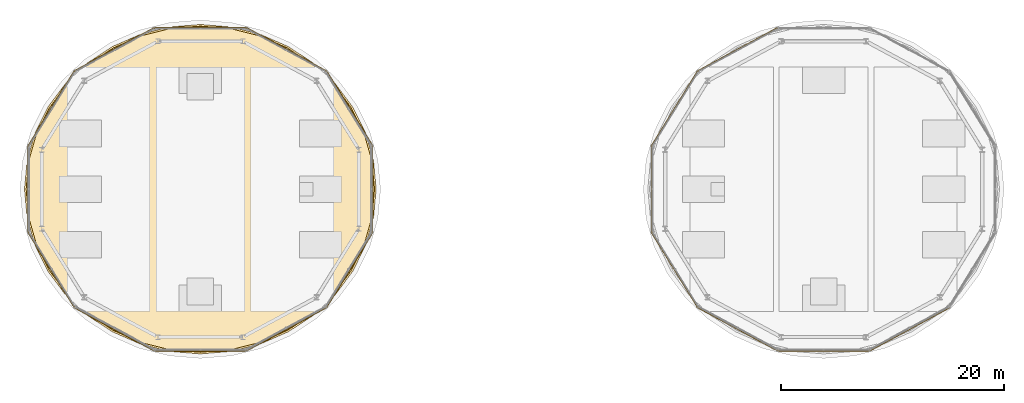
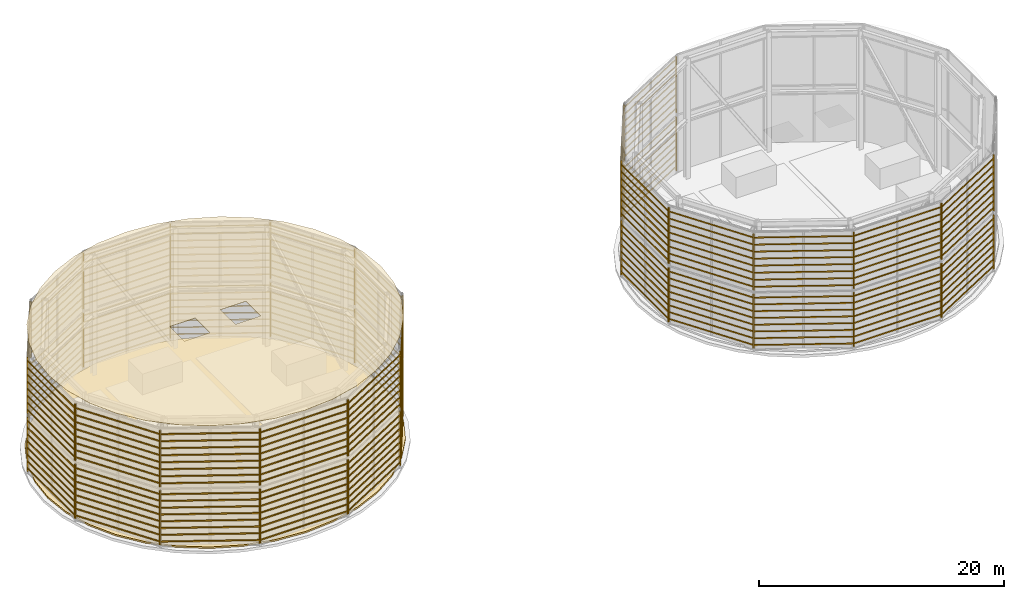
# One storey, part 15 of 17: 38 shading devices, 2 coverings.
"""IFC4 building model written with IfcOpenShell, lengths in metres."""

from ifc_helpers import new_model, si_unit, direction, frame, origin, origin_2d, place, context, subcontext, project, spatial, polyline, rectangle, outline, extrude, source, transform, mapped, material, layer, layer_set, type_object, type_shapes, element, save


model = new_model("IFC4")

# Units and contexts
model_context = context("Model", 3, precision=1e-05, world=origin(), true_north=direction((0.0, 1.0)))
body_context = subcontext(model_context, "Body", "Model", "MODEL_VIEW")
ifc_project = project(units=[si_unit("LENGTHUNIT", "METRE"), si_unit("AREAUNIT", "SQUARE_METRE"), si_unit("VOLUMEUNIT", "CUBIC_METRE"), si_unit("PLANEANGLEUNIT", "RADIAN"), si_unit("MASSUNIT", "GRAM", prefix="KILO")], contexts=[model_context])

# Site, building, storey
site_placement = place(None, origin())
site = spatial("IfcSite", under=ifc_project, at=site_placement, CompositionType="ELEMENT")
building_placement = place(site_placement, origin())
building = spatial("IfcBuilding", under=site, at=building_placement, Name="Norrkilde Senior Care Towers", CompositionType="ELEMENT")
storey_placement = place(building_placement, frame((0.0, 0.0, 249.85009765625)))
storey = spatial("IfcBuildingStorey", under=building, at=storey_placement, Name="RF", CompositionType="ELEMENT", Elevation=249.85009765625)

# Coverings
ifc_material_1 = material(Name="Architectural Terracotta", Category="masonry")
ifc_layer_1 = layer(ifc_material_1, 0.0400390625)
ifc_layer_set_1 = layer_set([ifc_layer_1], Name="Architectural Terracotta")
covering_type_1 = type_object("IfcCoveringType", Name="Glazed Terracotta Spandrel Cladding 40", PredefinedType="CLADDING", material=ifc_layer_set_1)
covering_1_placement = place(storey_placement, frame((0.0, 0.0, 12.10986328125)))
element("IfcCovering", 1, at=covering_1_placement, inside=storey, type_object=covering_type_1, Name="RF Drum W Crown Ring Top Cap Cladding", PredefinedType="CLADDING", context=body_context, shape_type="SweptSolid", body=[
    extrude(outline(polyline([(-12.35009765625, 0.0), (-12.587646484375, 2.5439453125), (-13.293701171875, 5.010498046875), (-14.44677734375, 7.324951171875), (-16.011474609375, 9.416748046875), (-17.9404296875, 11.22265625), (-20.175048828125, 12.687255859375), (-22.6474609375, 13.7666015625), (-25.282470703125, 14.427490234375), (-28.0, 14.64990234375), (-30.717529296875, 14.427490234375), (-33.3525390625, 13.7666015625), (-35.824951171875, 12.687255859375), (-38.0595703125, 11.22265625), (-39.988525390625, 9.416748046875), (-41.55322265625, 7.324951171875), (-42.706298828125, 5.010498046875), (-43.412353515625, 2.5439453125), (-43.64990234375, 0.0), (-43.412353515625, -2.5439453125), (-42.706298828125, -5.010498046875), (-41.55322265625, -7.324951171875), (-39.988525390625, -9.416748046875), (-38.0595703125, -11.22265625), (-35.824951171875, -12.687255859375), (-33.3525390625, -13.7666015625), (-30.717529296875, -14.427490234375), (-28.0, -14.64990234375), (-25.282470703125, -14.427490234375), (-22.6474609375, -13.7666015625), (-20.175048828125, -12.687255859375), (-17.9404296875, -11.22265625), (-16.011474609375, -9.416748046875), (-14.44677734375, -7.324951171875), (-13.293701171875, -5.010498046875), (-12.587646484375, -2.5439453125), (-12.35009765625, 0.0)]), holes=[polyline([(-31.60009765625, -1.199951171875), (-29.199951171875, -1.199951171875), (-29.199951171875, 1.199951171875), (-31.60009765625, 1.199951171875), (-31.60009765625, -1.199951171875)]), polyline([(-26.800048828125, -1.199951171875), (-24.39990234375, -1.199951171875), (-24.39990234375, 1.199951171875), (-26.800048828125, 1.199951171875), (-26.800048828125, -1.199951171875)])]), origin(), (0.0, 0.0, 1.0), 0.0400390625),
])
ifc_material_2 = material(Name="EPDM Waterproofing and PIR Insulation")
ifc_layer_2 = layer(ifc_material_2, 0.159912109375)
ifc_layer_set_2 = layer_set([ifc_layer_2], Name="EPDM Waterproofing and PIR Insulation")
covering_type_2 = type_object("IfcCoveringType", Name="Insulated EPDM Roof Membrane 160", PredefinedType="ROOFING", material=ifc_layer_set_2)
covering_2_placement = place(storey_placement, origin())
element("IfcCovering", 2, at=covering_2_placement, inside=storey, type_object=covering_type_2, Name="RF Drum W Insulated Roof Membrane", PredefinedType="ROOFING", context=body_context, shape_type="SweptSolid", body=[
    extrude(outline(polyline([(-12.20166015625, 0.0), (-12.44091796875, -2.5654296875), (-13.151611328125, -5.053466796875), (-14.3125, -7.3896484375), (-15.8896484375, -9.5029296875), (-17.83544921875, -11.32861328125), (-20.09130859375, -12.810791015625), (-22.589111328125, -13.903564453125), (-25.25244140625, -14.572998046875), (-28.0, -14.798583984375), (-30.74755859375, -14.572998046875), (-33.410888671875, -13.903564453125), (-35.90869140625, -12.810791015625), (-38.16455078125, -11.32861328125), (-40.1103515625, -9.5029296875), (-41.6875, -7.3896484375), (-42.848388671875, -5.053466796875), (-43.55908203125, -2.5654296875), (-43.79833984375, 0.0), (-43.55908203125, 2.5654296875), (-42.848388671875, 5.053466796875), (-41.6875, 7.3896484375), (-40.1103515625, 9.5029296875), (-38.16455078125, 11.32861328125), (-35.90869140625, 12.810791015625), (-33.410888671875, 13.903564453125), (-30.74755859375, 14.572998046875), (-28.0, 14.798583984375), (-25.25244140625, 14.572998046875), (-22.589111328125, 13.903564453125), (-20.09130859375, 12.810791015625), (-17.83544921875, 11.32861328125), (-15.8896484375, 9.5029296875), (-14.3125, 7.3896484375), (-13.151611328125, 5.053466796875), (-12.44091796875, 2.5654296875), (-12.20166015625, 0.0)])), origin(), (0.0, 0.0, 1.0), 0.159912109375),
])

# Shading devices
shading_device_type = type_object("IfcShadingDeviceType", Name="Horizontal Terracotta Baguette Rack", PredefinedType="USERDEFINED", material=ifc_material_1)
shared_shape_1 = source(origin(), body_context, "Body", "SweptSolid", [
    extrude(rectangle(XDim=0.070068359375, YDim=0.110107421875, at=origin_2d()), frame((0.0, 0.090087890625, 0.33740234375), z_axis=(1.0, 0.0, 0.0), x_axis=(0.0, 1.0, 0.0)), (0.0, 0.0, 1.0), 7.871337890625),
    extrude(rectangle(XDim=0.070068359375, YDim=0.110107421875, at=origin_2d()), frame((0.0, 0.090087890625, 1.012451171875), z_axis=(1.0, 0.0, 0.0), x_axis=(0.0, 1.0, 0.0)), (0.0, 0.0, 1.0), 7.871337890625),
    extrude(rectangle(XDim=0.070068359375, YDim=0.110107421875, at=origin_2d()), frame((0.0, 0.090087890625, 1.6875), z_axis=(1.0, 0.0, 0.0), x_axis=(0.0, 1.0, 0.0)), (0.0, 0.0, 1.0), 7.871337890625),
    extrude(rectangle(XDim=0.070068359375, YDim=0.110107421875, at=origin_2d()), frame((0.0, 0.090087890625, 2.362548828125), z_axis=(1.0, 0.0, 0.0), x_axis=(0.0, 1.0, 0.0)), (0.0, 0.0, 1.0), 7.871337890625),
    extrude(rectangle(XDim=0.070068359375, YDim=0.110107421875, at=origin_2d()), frame((0.0, 0.090087890625, 3.037353515625), z_axis=(1.0, 0.0, 0.0), x_axis=(0.0, 1.0, 0.0)), (0.0, 0.0, 1.0), 7.871337890625),
    extrude(rectangle(XDim=0.070068359375, YDim=0.110107421875, at=origin_2d()), frame((0.0, 0.090087890625, 3.71240234375), z_axis=(1.0, 0.0, 0.0), x_axis=(0.0, 1.0, 0.0)), (0.0, 0.0, 1.0), 7.871337890625),
    extrude(rectangle(XDim=0.070068359375, YDim=0.110107421875, at=origin_2d()), frame((0.0, 0.090087890625, 4.387451171875), z_axis=(1.0, 0.0, 0.0), x_axis=(0.0, 1.0, 0.0)), (0.0, 0.0, 1.0), 7.871337890625),
    extrude(rectangle(XDim=0.070068359375, YDim=0.110107421875, at=origin_2d()), frame((0.0, 0.090087890625, 5.0625), z_axis=(1.0, 0.0, 0.0), x_axis=(0.0, 1.0, 0.0)), (0.0, 0.0, 1.0), 7.871337890625),
    extrude(rectangle(XDim=0.050048828125, YDim=0.1552734375, at=origin_2d()), frame((0.02490234375, 0.047607421875, 0.0)), (0.0, 0.0, 1.0), 5.39990234375),
    extrude(rectangle(XDim=0.050048828125, YDim=0.1552734375, at=origin_2d()), frame((7.84619140625, 0.047607421875, 0.0)), (0.0, 0.0, 1.0), 5.39990234375),
])
for number, where, z_axis, x_axis, name in (
    (3, (-16.7216796875, 10.5712890625, 0.25), (0.0, 0.0, 1.0), (0.524456437455, -0.851431407214, 0.0), "RF Ring Crown W Terracotta Baguette Tier 1 (00)"),
    (4, (-43.406494140625, 3.869384765625, 0.25), (0.0, 0.0, 1.0), (0.524456437455, 0.851431407214, 0.0), "RF Ring Crown W Terracotta Baguette Tier 1 (04)"),
    (5, (-39.2783203125, -10.5712890625, 0.25), (0.0, 0.0, 1.0), (-0.524456437455, 0.851431407214, 0.0), "RF Ring Crown W Terracotta Baguette Tier 1 (06)"),
    (6, (-12.593505859375, -3.869384765625, 0.25), (0.0, 0.0, 1.0), (-0.524456437455, -0.851431407214, 0.0), "RF Ring Crown W Terracotta Baguette Tier 1 (10)"),
    (7, (12.593505859375, 3.869384765625, 0.25), (0.0, 0.0, 1.0), (0.524456437455, 0.851431407214, 0.0), "RF Ring Crown E Terracotta Baguette Tier 1 (04)"),
    (8, (16.7216796875, -10.5712890625, 0.25), (0.0, 0.0, 1.0), (-0.524456437455, 0.851431407214, 0.0), "RF Ring Crown E Terracotta Baguette Tier 1 (06)"),
):
    element("IfcShadingDevice", number, at=place(storey_placement, frame(where, z_axis=z_axis, x_axis=x_axis)), inside=storey, type_object=shading_device_type, Name=name, ObjectType="BAGUETTE", PredefinedType="USERDEFINED", context=body_context, shape_type="MappedRepresentation", body=[
        mapped(shared_shape_1, transform((0.0, 0.0, 0.0), x_axis=(1.0, 0.0, 0.0), y_axis=(0.0, 1.0, 0.0), z_axis=(0.0, 0.0, 1.0), scale=1.0)),
    ])
shared_shape_2 = source(origin(), body_context, "Body", "SweptSolid", [
    extrude(rectangle(XDim=0.070068359375, YDim=0.110107421875, at=origin_2d()), frame((0.0, 0.090087890625, 0.35009765625), z_axis=(1.0, 0.0, 0.0), x_axis=(0.0, 1.0, 0.0)), (0.0, 0.0, 1.0), 7.871337890625),
    extrude(rectangle(XDim=0.070068359375, YDim=0.110107421875, at=origin_2d()), frame((0.0, 0.090087890625, 1.050048828125), z_axis=(1.0, 0.0, 0.0), x_axis=(0.0, 1.0, 0.0)), (0.0, 0.0, 1.0), 7.871337890625),
    extrude(rectangle(XDim=0.070068359375, YDim=0.110107421875, at=origin_2d()), frame((0.0, 0.090087890625, 1.75), z_axis=(1.0, 0.0, 0.0), x_axis=(0.0, 1.0, 0.0)), (0.0, 0.0, 1.0), 7.871337890625),
    extrude(rectangle(XDim=0.070068359375, YDim=0.110107421875, at=origin_2d()), frame((0.0, 0.090087890625, 2.449951171875), z_axis=(1.0, 0.0, 0.0), x_axis=(0.0, 1.0, 0.0)), (0.0, 0.0, 1.0), 7.871337890625),
    extrude(rectangle(XDim=0.070068359375, YDim=0.110107421875, at=origin_2d()), frame((0.0, 0.090087890625, 3.150146484375), z_axis=(1.0, 0.0, 0.0), x_axis=(0.0, 1.0, 0.0)), (0.0, 0.0, 1.0), 7.871337890625),
    extrude(rectangle(XDim=0.070068359375, YDim=0.110107421875, at=origin_2d()), frame((0.0, 0.090087890625, 3.85009765625), z_axis=(1.0, 0.0, 0.0), x_axis=(0.0, 1.0, 0.0)), (0.0, 0.0, 1.0), 7.871337890625),
    extrude(rectangle(XDim=0.070068359375, YDim=0.110107421875, at=origin_2d()), frame((0.0, 0.090087890625, 4.550048828125), z_axis=(1.0, 0.0, 0.0), x_axis=(0.0, 1.0, 0.0)), (0.0, 0.0, 1.0), 7.871337890625),
    extrude(rectangle(XDim=0.070068359375, YDim=0.110107421875, at=origin_2d()), frame((0.0, 0.090087890625, 5.25), z_axis=(1.0, 0.0, 0.0), x_axis=(0.0, 1.0, 0.0)), (0.0, 0.0, 1.0), 7.871337890625),
    extrude(rectangle(XDim=0.050048828125, YDim=0.1552734375, at=origin_2d()), frame((0.02490234375, 0.047607421875, 0.0)), (0.0, 0.0, 1.0), 5.60009765625),
    extrude(rectangle(XDim=0.050048828125, YDim=0.1552734375, at=origin_2d()), frame((7.84619140625, 0.047607421875, 0.0)), (0.0, 0.0, 1.0), 5.60009765625),
])
for number, where, z_axis, x_axis, name in (
    (9, (-16.7216796875, 10.5712890625, 6.0498046875), (0.0, 0.0, 1.0), (0.524456437455, -0.851431407214, 0.0), "RF Ring Crown W Terracotta Baguette Tier 2 (00)"),
    (10, (-43.406494140625, 3.869384765625, 6.0498046875), (0.0, 0.0, 1.0), (0.524456437455, 0.851431407214, 0.0), "RF Ring Crown W Terracotta Baguette Tier 2 (04)"),
    (11, (-39.2783203125, -10.5712890625, 6.0498046875), (0.0, 0.0, 1.0), (-0.524456437455, 0.851431407214, 0.0), "RF Ring Crown W Terracotta Baguette Tier 2 (06)"),
    (12, (-12.593505859375, -3.869384765625, 6.0498046875), (0.0, 0.0, 1.0), (-0.524456437455, -0.851431407214, 0.0), "RF Ring Crown W Terracotta Baguette Tier 2 (10)"),
    (13, (12.593505859375, 3.869384765625, 6.0498046875), (0.0, 0.0, 1.0), (0.524456437455, 0.851431407214, 0.0), "RF Ring Crown E Terracotta Baguette Tier 2 (04)"),
    (14, (16.7216796875, -10.5712890625, 6.0498046875), (0.0, 0.0, 1.0), (-0.524456437455, 0.851431407214, 0.0), "RF Ring Crown E Terracotta Baguette Tier 2 (06)"),
):
    element("IfcShadingDevice", number, at=place(storey_placement, frame(where, z_axis=z_axis, x_axis=x_axis)), inside=storey, type_object=shading_device_type, Name=name, ObjectType="BAGUETTE", PredefinedType="USERDEFINED", context=body_context, shape_type="MappedRepresentation", body=[
        mapped(shared_shape_2, transform((0.0, 0.0, 0.0), x_axis=(1.0, 0.0, 0.0), y_axis=(0.0, 1.0, 0.0), z_axis=(0.0, 0.0, 1.0), scale=1.0)),
    ])
shared_shape_3 = source(origin(), body_context, "Body", "SweptSolid", [
    extrude(rectangle(XDim=0.070068359375, YDim=0.110107421875, at=origin_2d()), frame((0.0, 0.090087890625, 0.33740234375), z_axis=(1.0, 0.0, 0.0), x_axis=(0.0, 1.0, 0.0)), (0.0, 0.0, 1.0), 8.1298828125),
    extrude(rectangle(XDim=0.070068359375, YDim=0.110107421875, at=origin_2d()), frame((0.0, 0.090087890625, 1.012451171875), z_axis=(1.0, 0.0, 0.0), x_axis=(0.0, 1.0, 0.0)), (0.0, 0.0, 1.0), 8.1298828125),
    extrude(rectangle(XDim=0.070068359375, YDim=0.110107421875, at=origin_2d()), frame((0.0, 0.090087890625, 1.6875), z_axis=(1.0, 0.0, 0.0), x_axis=(0.0, 1.0, 0.0)), (0.0, 0.0, 1.0), 8.1298828125),
    extrude(rectangle(XDim=0.070068359375, YDim=0.110107421875, at=origin_2d()), frame((0.0, 0.090087890625, 2.362548828125), z_axis=(1.0, 0.0, 0.0), x_axis=(0.0, 1.0, 0.0)), (0.0, 0.0, 1.0), 8.1298828125),
    extrude(rectangle(XDim=0.070068359375, YDim=0.110107421875, at=origin_2d()), frame((0.0, 0.090087890625, 3.037353515625), z_axis=(1.0, 0.0, 0.0), x_axis=(0.0, 1.0, 0.0)), (0.0, 0.0, 1.0), 8.1298828125),
    extrude(rectangle(XDim=0.070068359375, YDim=0.110107421875, at=origin_2d()), frame((0.0, 0.090087890625, 3.71240234375), z_axis=(1.0, 0.0, 0.0), x_axis=(0.0, 1.0, 0.0)), (0.0, 0.0, 1.0), 8.1298828125),
    extrude(rectangle(XDim=0.070068359375, YDim=0.110107421875, at=origin_2d()), frame((0.0, 0.090087890625, 4.387451171875), z_axis=(1.0, 0.0, 0.0), x_axis=(0.0, 1.0, 0.0)), (0.0, 0.0, 1.0), 8.1298828125),
    extrude(rectangle(XDim=0.070068359375, YDim=0.110107421875, at=origin_2d()), frame((0.0, 0.090087890625, 5.0625), z_axis=(1.0, 0.0, 0.0), x_axis=(0.0, 1.0, 0.0)), (0.0, 0.0, 1.0), 8.1298828125),
    extrude(rectangle(XDim=0.050048828125, YDim=0.1552734375, at=origin_2d()), frame((0.02490234375, 0.047607421875, 0.0)), (0.0, 0.0, 1.0), 5.39990234375),
    extrude(rectangle(XDim=0.050048828125, YDim=0.1552734375, at=origin_2d()), frame((8.10498046875, 0.047607421875, 0.0)), (0.0, 0.0, 1.0), 5.39990234375),
])
for number, where, z_axis, x_axis, name in (
    (15, (-23.871826171875, 14.440673828125, 0.25), (0.0, 0.0, 1.0), (0.879489489489, -0.475945945946, 0.0), "RF Ring Crown W Terracotta Baguette Tier 1 (01)"),
    (16, (-39.2783203125, 10.5712890625, 0.25), (0.0, 0.0, 1.0), (0.879489489489, 0.475945945946, 0.0), "RF Ring Crown W Terracotta Baguette Tier 1 (03)"),
    (17, (-32.128173828125, -14.440673828125, 0.25), (0.0, 0.0, 1.0), (-0.879489489489, 0.475945945946, 0.0), "RF Ring Crown W Terracotta Baguette Tier 1 (07)"),
    (18, (-16.7216796875, -10.5712890625, 0.25), (0.0, 0.0, 1.0), (-0.879489489489, -0.475945945946, 0.0), "RF Ring Crown W Terracotta Baguette Tier 1 (09)"),
    (19, (16.7216796875, 10.5712890625, 0.25), (0.0, 0.0, 1.0), (0.879489489489, 0.475945945946, 0.0), "RF Ring Crown E Terracotta Baguette Tier 1 (03)"),
    (20, (23.871826171875, -14.440673828125, 0.25), (0.0, 0.0, 1.0), (-0.879489489489, 0.475945945946, 0.0), "RF Ring Crown E Terracotta Baguette Tier 1 (07)"),
    (21, (39.2783203125, -10.5712890625, 0.25), (0.0, 0.0, 1.0), (-0.879489489489, -0.475945945946, 0.0), "RF Ring Crown E Terracotta Baguette Tier 1 (09)"),
):
    element("IfcShadingDevice", number, at=place(storey_placement, frame(where, z_axis=z_axis, x_axis=x_axis)), inside=storey, type_object=shading_device_type, Name=name, ObjectType="BAGUETTE", PredefinedType="USERDEFINED", context=body_context, shape_type="MappedRepresentation", body=[
        mapped(shared_shape_3, transform((0.0, 0.0, 0.0), x_axis=(1.0, 0.0, 0.0), y_axis=(0.0, 1.0, 0.0), z_axis=(0.0, 0.0, 1.0), scale=1.0)),
    ])
shared_shape_4 = source(origin(), body_context, "Body", "SweptSolid", [
    extrude(rectangle(XDim=0.070068359375, YDim=0.110107421875, at=origin_2d()), frame((0.0, 0.090087890625, 0.35009765625), z_axis=(1.0, 0.0, 0.0), x_axis=(0.0, 1.0, 0.0)), (0.0, 0.0, 1.0), 8.1298828125),
    extrude(rectangle(XDim=0.070068359375, YDim=0.110107421875, at=origin_2d()), frame((0.0, 0.090087890625, 1.050048828125), z_axis=(1.0, 0.0, 0.0), x_axis=(0.0, 1.0, 0.0)), (0.0, 0.0, 1.0), 8.1298828125),
    extrude(rectangle(XDim=0.070068359375, YDim=0.110107421875, at=origin_2d()), frame((0.0, 0.090087890625, 1.75), z_axis=(1.0, 0.0, 0.0), x_axis=(0.0, 1.0, 0.0)), (0.0, 0.0, 1.0), 8.1298828125),
    extrude(rectangle(XDim=0.070068359375, YDim=0.110107421875, at=origin_2d()), frame((0.0, 0.090087890625, 2.449951171875), z_axis=(1.0, 0.0, 0.0), x_axis=(0.0, 1.0, 0.0)), (0.0, 0.0, 1.0), 8.1298828125),
    extrude(rectangle(XDim=0.070068359375, YDim=0.110107421875, at=origin_2d()), frame((0.0, 0.090087890625, 3.150146484375), z_axis=(1.0, 0.0, 0.0), x_axis=(0.0, 1.0, 0.0)), (0.0, 0.0, 1.0), 8.1298828125),
    extrude(rectangle(XDim=0.070068359375, YDim=0.110107421875, at=origin_2d()), frame((0.0, 0.090087890625, 3.85009765625), z_axis=(1.0, 0.0, 0.0), x_axis=(0.0, 1.0, 0.0)), (0.0, 0.0, 1.0), 8.1298828125),
    extrude(rectangle(XDim=0.070068359375, YDim=0.110107421875, at=origin_2d()), frame((0.0, 0.090087890625, 4.550048828125), z_axis=(1.0, 0.0, 0.0), x_axis=(0.0, 1.0, 0.0)), (0.0, 0.0, 1.0), 8.1298828125),
    extrude(rectangle(XDim=0.070068359375, YDim=0.110107421875, at=origin_2d()), frame((0.0, 0.090087890625, 5.25), z_axis=(1.0, 0.0, 0.0), x_axis=(0.0, 1.0, 0.0)), (0.0, 0.0, 1.0), 8.1298828125),
    extrude(rectangle(XDim=0.050048828125, YDim=0.1552734375, at=origin_2d()), frame((0.02490234375, 0.047607421875, 0.0)), (0.0, 0.0, 1.0), 5.60009765625),
    extrude(rectangle(XDim=0.050048828125, YDim=0.1552734375, at=origin_2d()), frame((8.10498046875, 0.047607421875, 0.0)), (0.0, 0.0, 1.0), 5.60009765625),
])
for number, where, z_axis, x_axis, name in (
    (22, (-23.871826171875, 14.440673828125, 6.0498046875), (0.0, 0.0, 1.0), (0.879489489489, -0.475945945946, 0.0), "RF Ring Crown W Terracotta Baguette Tier 2 (01)"),
    (23, (-39.2783203125, 10.5712890625, 6.0498046875), (0.0, 0.0, 1.0), (0.879489489489, 0.475945945946, 0.0), "RF Ring Crown W Terracotta Baguette Tier 2 (03)"),
    (24, (-32.128173828125, -14.440673828125, 6.0498046875), (0.0, 0.0, 1.0), (-0.879489489489, 0.475945945946, 0.0), "RF Ring Crown W Terracotta Baguette Tier 2 (07)"),
    (25, (-16.7216796875, -10.5712890625, 6.0498046875), (0.0, 0.0, 1.0), (-0.879489489489, -0.475945945946, 0.0), "RF Ring Crown W Terracotta Baguette Tier 2 (09)"),
    (26, (16.7216796875, 10.5712890625, 6.0498046875), (0.0, 0.0, 1.0), (0.879489489489, 0.475945945946, 0.0), "RF Ring Crown E Terracotta Baguette Tier 2 (03)"),
    (27, (23.871826171875, -14.440673828125, 6.0498046875), (0.0, 0.0, 1.0), (-0.879489489489, 0.475945945946, 0.0), "RF Ring Crown E Terracotta Baguette Tier 2 (07)"),
    (28, (39.2783203125, -10.5712890625, 6.0498046875), (0.0, 0.0, 1.0), (-0.879489489489, -0.475945945946, 0.0), "RF Ring Crown E Terracotta Baguette Tier 2 (09)"),
):
    element("IfcShadingDevice", number, at=place(storey_placement, frame(where, z_axis=z_axis, x_axis=x_axis)), inside=storey, type_object=shading_device_type, Name=name, ObjectType="BAGUETTE", PredefinedType="USERDEFINED", context=body_context, shape_type="MappedRepresentation", body=[
        mapped(shared_shape_4, transform((0.0, 0.0, 0.0), x_axis=(1.0, 0.0, 0.0), y_axis=(0.0, 1.0, 0.0), z_axis=(0.0, 0.0, 1.0), scale=1.0)),
    ])
shared_shape_5 = source(origin(), body_context, "Body", "SweptSolid", [
    extrude(rectangle(XDim=0.070068359375, YDim=0.110107421875, at=origin_2d()), frame((0.0, 0.090087890625, 0.33740234375), z_axis=(1.0, 0.0, 0.0), x_axis=(0.0, 1.0, 0.0)), (0.0, 0.0, 1.0), 8.25634765625),
    extrude(rectangle(XDim=0.070068359375, YDim=0.110107421875, at=origin_2d()), frame((0.0, 0.090087890625, 1.012451171875), z_axis=(1.0, 0.0, 0.0), x_axis=(0.0, 1.0, 0.0)), (0.0, 0.0, 1.0), 8.25634765625),
    extrude(rectangle(XDim=0.070068359375, YDim=0.110107421875, at=origin_2d()), frame((0.0, 0.090087890625, 1.6875), z_axis=(1.0, 0.0, 0.0), x_axis=(0.0, 1.0, 0.0)), (0.0, 0.0, 1.0), 8.25634765625),
    extrude(rectangle(XDim=0.070068359375, YDim=0.110107421875, at=origin_2d()), frame((0.0, 0.090087890625, 2.362548828125), z_axis=(1.0, 0.0, 0.0), x_axis=(0.0, 1.0, 0.0)), (0.0, 0.0, 1.0), 8.25634765625),
    extrude(rectangle(XDim=0.070068359375, YDim=0.110107421875, at=origin_2d()), frame((0.0, 0.090087890625, 3.037353515625), z_axis=(1.0, 0.0, 0.0), x_axis=(0.0, 1.0, 0.0)), (0.0, 0.0, 1.0), 8.25634765625),
    extrude(rectangle(XDim=0.070068359375, YDim=0.110107421875, at=origin_2d()), frame((0.0, 0.090087890625, 3.71240234375), z_axis=(1.0, 0.0, 0.0), x_axis=(0.0, 1.0, 0.0)), (0.0, 0.0, 1.0), 8.25634765625),
    extrude(rectangle(XDim=0.070068359375, YDim=0.110107421875, at=origin_2d()), frame((0.0, 0.090087890625, 4.387451171875), z_axis=(1.0, 0.0, 0.0), x_axis=(0.0, 1.0, 0.0)), (0.0, 0.0, 1.0), 8.25634765625),
    extrude(rectangle(XDim=0.070068359375, YDim=0.110107421875, at=origin_2d()), frame((0.0, 0.090087890625, 5.0625), z_axis=(1.0, 0.0, 0.0), x_axis=(0.0, 1.0, 0.0)), (0.0, 0.0, 1.0), 8.25634765625),
    extrude(rectangle(XDim=0.050048828125, YDim=0.1552734375, at=origin_2d()), frame((0.02490234375, 0.047607421875, 0.0)), (0.0, 0.0, 1.0), 5.39990234375),
    extrude(rectangle(XDim=0.050048828125, YDim=0.1552734375, at=origin_2d()), frame((8.2314453125, 0.047607421875, 0.0)), (0.0, 0.0, 1.0), 5.39990234375),
])
for number, where, z_axis, x_axis, name in (
    (29, (-32.128173828125, 14.440673828125, 0.25), (0.0, 0.0, 1.0), (1.0, 0.0, 0.0), "RF Ring Crown W Terracotta Baguette Tier 1 (02)"),
    (30, (-23.871826171875, -14.440673828125, 0.25), (0.0, 0.0, 1.0), (-1.0, 0.0, 0.0), "RF Ring Crown W Terracotta Baguette Tier 1 (08)"),
    (31, (32.128173828125, -14.440673828125, 0.25), (0.0, 0.0, 1.0), (-1.0, 0.0, 0.0), "RF Ring Crown E Terracotta Baguette Tier 1 (08)"),
):
    element("IfcShadingDevice", number, at=place(storey_placement, frame(where, z_axis=z_axis, x_axis=x_axis)), inside=storey, type_object=shading_device_type, Name=name, ObjectType="BAGUETTE", PredefinedType="USERDEFINED", context=body_context, shape_type="MappedRepresentation", body=[
        mapped(shared_shape_5, transform((0.0, 0.0, 0.0), x_axis=(1.0, 0.0, 0.0), y_axis=(0.0, 1.0, 0.0), z_axis=(0.0, 0.0, 1.0), scale=1.0)),
    ])
shared_shape_6 = source(origin(), body_context, "Body", "SweptSolid", [
    extrude(rectangle(XDim=0.070068359375, YDim=0.110107421875, at=origin_2d()), frame((0.0, 0.090087890625, 0.35009765625), z_axis=(1.0, 0.0, 0.0), x_axis=(0.0, 1.0, 0.0)), (0.0, 0.0, 1.0), 8.25634765625),
    extrude(rectangle(XDim=0.070068359375, YDim=0.110107421875, at=origin_2d()), frame((0.0, 0.090087890625, 1.050048828125), z_axis=(1.0, 0.0, 0.0), x_axis=(0.0, 1.0, 0.0)), (0.0, 0.0, 1.0), 8.25634765625),
    extrude(rectangle(XDim=0.070068359375, YDim=0.110107421875, at=origin_2d()), frame((0.0, 0.090087890625, 1.75), z_axis=(1.0, 0.0, 0.0), x_axis=(0.0, 1.0, 0.0)), (0.0, 0.0, 1.0), 8.25634765625),
    extrude(rectangle(XDim=0.070068359375, YDim=0.110107421875, at=origin_2d()), frame((0.0, 0.090087890625, 2.449951171875), z_axis=(1.0, 0.0, 0.0), x_axis=(0.0, 1.0, 0.0)), (0.0, 0.0, 1.0), 8.25634765625),
    extrude(rectangle(XDim=0.070068359375, YDim=0.110107421875, at=origin_2d()), frame((0.0, 0.090087890625, 3.150146484375), z_axis=(1.0, 0.0, 0.0), x_axis=(0.0, 1.0, 0.0)), (0.0, 0.0, 1.0), 8.25634765625),
    extrude(rectangle(XDim=0.070068359375, YDim=0.110107421875, at=origin_2d()), frame((0.0, 0.090087890625, 3.85009765625), z_axis=(1.0, 0.0, 0.0), x_axis=(0.0, 1.0, 0.0)), (0.0, 0.0, 1.0), 8.25634765625),
    extrude(rectangle(XDim=0.070068359375, YDim=0.110107421875, at=origin_2d()), frame((0.0, 0.090087890625, 4.550048828125), z_axis=(1.0, 0.0, 0.0), x_axis=(0.0, 1.0, 0.0)), (0.0, 0.0, 1.0), 8.25634765625),
    extrude(rectangle(XDim=0.070068359375, YDim=0.110107421875, at=origin_2d()), frame((0.0, 0.090087890625, 5.25), z_axis=(1.0, 0.0, 0.0), x_axis=(0.0, 1.0, 0.0)), (0.0, 0.0, 1.0), 8.25634765625),
    extrude(rectangle(XDim=0.050048828125, YDim=0.1552734375, at=origin_2d()), frame((0.02490234375, 0.047607421875, 0.0)), (0.0, 0.0, 1.0), 5.60009765625),
    extrude(rectangle(XDim=0.050048828125, YDim=0.1552734375, at=origin_2d()), frame((8.2314453125, 0.047607421875, 0.0)), (0.0, 0.0, 1.0), 5.60009765625),
])
for number, where, z_axis, x_axis, name in (
    (32, (-32.128173828125, 14.440673828125, 6.0498046875), (0.0, 0.0, 1.0), (1.0, 0.0, 0.0), "RF Ring Crown W Terracotta Baguette Tier 2 (02)"),
    (33, (-23.871826171875, -14.440673828125, 6.0498046875), (0.0, 0.0, 1.0), (-1.0, 0.0, 0.0), "RF Ring Crown W Terracotta Baguette Tier 2 (08)"),
    (34, (32.128173828125, -14.440673828125, 6.0498046875), (0.0, 0.0, 1.0), (-1.0, 0.0, 0.0), "RF Ring Crown E Terracotta Baguette Tier 2 (08)"),
):
    element("IfcShadingDevice", number, at=place(storey_placement, frame(where, z_axis=z_axis, x_axis=x_axis)), inside=storey, type_object=shading_device_type, Name=name, ObjectType="BAGUETTE", PredefinedType="USERDEFINED", context=body_context, shape_type="MappedRepresentation", body=[
        mapped(shared_shape_6, transform((0.0, 0.0, 0.0), x_axis=(1.0, 0.0, 0.0), y_axis=(0.0, 1.0, 0.0), z_axis=(0.0, 0.0, 1.0), scale=1.0)),
    ])
shared_shape_7 = source(origin(), body_context, "Body", "SweptSolid", [
    extrude(rectangle(XDim=0.070068359375, YDim=0.110107421875, at=origin_2d()), frame((0.0, 0.090087890625, 0.33740234375), z_axis=(1.0, 0.0, 0.0), x_axis=(0.0, 1.0, 0.0)), (0.0, 0.0, 1.0), 7.73876953125),
    extrude(rectangle(XDim=0.070068359375, YDim=0.110107421875, at=origin_2d()), frame((0.0, 0.090087890625, 1.012451171875), z_axis=(1.0, 0.0, 0.0), x_axis=(0.0, 1.0, 0.0)), (0.0, 0.0, 1.0), 7.73876953125),
    extrude(rectangle(XDim=0.070068359375, YDim=0.110107421875, at=origin_2d()), frame((0.0, 0.090087890625, 1.6875), z_axis=(1.0, 0.0, 0.0), x_axis=(0.0, 1.0, 0.0)), (0.0, 0.0, 1.0), 7.73876953125),
    extrude(rectangle(XDim=0.070068359375, YDim=0.110107421875, at=origin_2d()), frame((0.0, 0.090087890625, 2.362548828125), z_axis=(1.0, 0.0, 0.0), x_axis=(0.0, 1.0, 0.0)), (0.0, 0.0, 1.0), 7.73876953125),
    extrude(rectangle(XDim=0.070068359375, YDim=0.110107421875, at=origin_2d()), frame((0.0, 0.090087890625, 3.037353515625), z_axis=(1.0, 0.0, 0.0), x_axis=(0.0, 1.0, 0.0)), (0.0, 0.0, 1.0), 7.73876953125),
    extrude(rectangle(XDim=0.070068359375, YDim=0.110107421875, at=origin_2d()), frame((0.0, 0.090087890625, 3.71240234375), z_axis=(1.0, 0.0, 0.0), x_axis=(0.0, 1.0, 0.0)), (0.0, 0.0, 1.0), 7.73876953125),
    extrude(rectangle(XDim=0.070068359375, YDim=0.110107421875, at=origin_2d()), frame((0.0, 0.090087890625, 4.387451171875), z_axis=(1.0, 0.0, 0.0), x_axis=(0.0, 1.0, 0.0)), (0.0, 0.0, 1.0), 7.73876953125),
    extrude(rectangle(XDim=0.070068359375, YDim=0.110107421875, at=origin_2d()), frame((0.0, 0.090087890625, 5.0625), z_axis=(1.0, 0.0, 0.0), x_axis=(0.0, 1.0, 0.0)), (0.0, 0.0, 1.0), 7.73876953125),
    extrude(rectangle(XDim=0.050048828125, YDim=0.1552734375, at=origin_2d()), frame((0.02490234375, 0.047607421875, 0.0)), (0.0, 0.0, 1.0), 5.39990234375),
    extrude(rectangle(XDim=0.050048828125, YDim=0.1552734375, at=origin_2d()), frame((7.7138671875, 0.047607421875, 0.0)), (0.0, 0.0, 1.0), 5.39990234375),
])
for number, where, z_axis, x_axis, name in (
    (35, (-43.406494140625, -3.869384765625, 0.25), (0.0, 0.0, 1.0), (0.0, 1.0, 0.0), "RF Ring Crown W Terracotta Baguette Tier 1 (05)"),
    (36, (-12.593505859375, 3.869384765625, 0.25), (0.0, 0.0, 1.0), (0.0, -1.0, 0.0), "RF Ring Crown W Terracotta Baguette Tier 1 (11)"),
    (37, (12.593505859375, -3.869384765625, 0.25), (0.0, 0.0, 1.0), (0.0, 1.0, 0.0), "RF Ring Crown E Terracotta Baguette Tier 1 (05)"),
):
    element("IfcShadingDevice", number, at=place(storey_placement, frame(where, z_axis=z_axis, x_axis=x_axis)), inside=storey, type_object=shading_device_type, Name=name, ObjectType="BAGUETTE", PredefinedType="USERDEFINED", context=body_context, shape_type="MappedRepresentation", body=[
        mapped(shared_shape_7, transform((0.0, 0.0, 0.0), x_axis=(1.0, 0.0, 0.0), y_axis=(0.0, 1.0, 0.0), z_axis=(0.0, 0.0, 1.0), scale=1.0)),
    ])
shared_shape_8 = source(origin(), body_context, "Body", "SweptSolid", [
    extrude(rectangle(XDim=0.070068359375, YDim=0.110107421875, at=origin_2d()), frame((0.0, 0.090087890625, 0.35009765625), z_axis=(1.0, 0.0, 0.0), x_axis=(0.0, 1.0, 0.0)), (0.0, 0.0, 1.0), 7.73876953125),
    extrude(rectangle(XDim=0.070068359375, YDim=0.110107421875, at=origin_2d()), frame((0.0, 0.090087890625, 1.050048828125), z_axis=(1.0, 0.0, 0.0), x_axis=(0.0, 1.0, 0.0)), (0.0, 0.0, 1.0), 7.73876953125),
    extrude(rectangle(XDim=0.070068359375, YDim=0.110107421875, at=origin_2d()), frame((0.0, 0.090087890625, 1.75), z_axis=(1.0, 0.0, 0.0), x_axis=(0.0, 1.0, 0.0)), (0.0, 0.0, 1.0), 7.73876953125),
    extrude(rectangle(XDim=0.070068359375, YDim=0.110107421875, at=origin_2d()), frame((0.0, 0.090087890625, 2.449951171875), z_axis=(1.0, 0.0, 0.0), x_axis=(0.0, 1.0, 0.0)), (0.0, 0.0, 1.0), 7.73876953125),
    extrude(rectangle(XDim=0.070068359375, YDim=0.110107421875, at=origin_2d()), frame((0.0, 0.090087890625, 3.150146484375), z_axis=(1.0, 0.0, 0.0), x_axis=(0.0, 1.0, 0.0)), (0.0, 0.0, 1.0), 7.73876953125),
    extrude(rectangle(XDim=0.070068359375, YDim=0.110107421875, at=origin_2d()), frame((0.0, 0.090087890625, 3.85009765625), z_axis=(1.0, 0.0, 0.0), x_axis=(0.0, 1.0, 0.0)), (0.0, 0.0, 1.0), 7.73876953125),
    extrude(rectangle(XDim=0.070068359375, YDim=0.110107421875, at=origin_2d()), frame((0.0, 0.090087890625, 4.550048828125), z_axis=(1.0, 0.0, 0.0), x_axis=(0.0, 1.0, 0.0)), (0.0, 0.0, 1.0), 7.73876953125),
    extrude(rectangle(XDim=0.070068359375, YDim=0.110107421875, at=origin_2d()), frame((0.0, 0.090087890625, 5.25), z_axis=(1.0, 0.0, 0.0), x_axis=(0.0, 1.0, 0.0)), (0.0, 0.0, 1.0), 7.73876953125),
    extrude(rectangle(XDim=0.050048828125, YDim=0.1552734375, at=origin_2d()), frame((0.02490234375, 0.047607421875, 0.0)), (0.0, 0.0, 1.0), 5.60009765625),
    extrude(rectangle(XDim=0.050048828125, YDim=0.1552734375, at=origin_2d()), frame((7.7138671875, 0.047607421875, 0.0)), (0.0, 0.0, 1.0), 5.60009765625),
])
type_shapes(shading_device_type, [shared_shape_1, shared_shape_2, shared_shape_3, shared_shape_4, shared_shape_5, shared_shape_6, shared_shape_7, shared_shape_8])
for number, where, z_axis, x_axis, name in (
    (38, (-43.406494140625, -3.869384765625, 6.0498046875), (0.0, 0.0, 1.0), (0.0, 1.0, 0.0), "RF Ring Crown W Terracotta Baguette Tier 2 (05)"),
    (39, (-12.593505859375, 3.869384765625, 6.0498046875), (0.0, 0.0, 1.0), (0.0, -1.0, 0.0), "RF Ring Crown W Terracotta Baguette Tier 2 (11)"),
    (40, (12.593505859375, -3.869384765625, 6.0498046875), (0.0, 0.0, 1.0), (0.0, 1.0, 0.0), "RF Ring Crown E Terracotta Baguette Tier 2 (05)"),
):
    element("IfcShadingDevice", number, at=place(storey_placement, frame(where, z_axis=z_axis, x_axis=x_axis)), inside=storey, type_object=shading_device_type, Name=name, ObjectType="BAGUETTE", PredefinedType="USERDEFINED", context=body_context, shape_type="MappedRepresentation", body=[
        mapped(shared_shape_8, transform((0.0, 0.0, 0.0), x_axis=(1.0, 0.0, 0.0), y_axis=(0.0, 1.0, 0.0), z_axis=(0.0, 0.0, 1.0), scale=1.0)),
    ])

save(model, "model.ifc")
